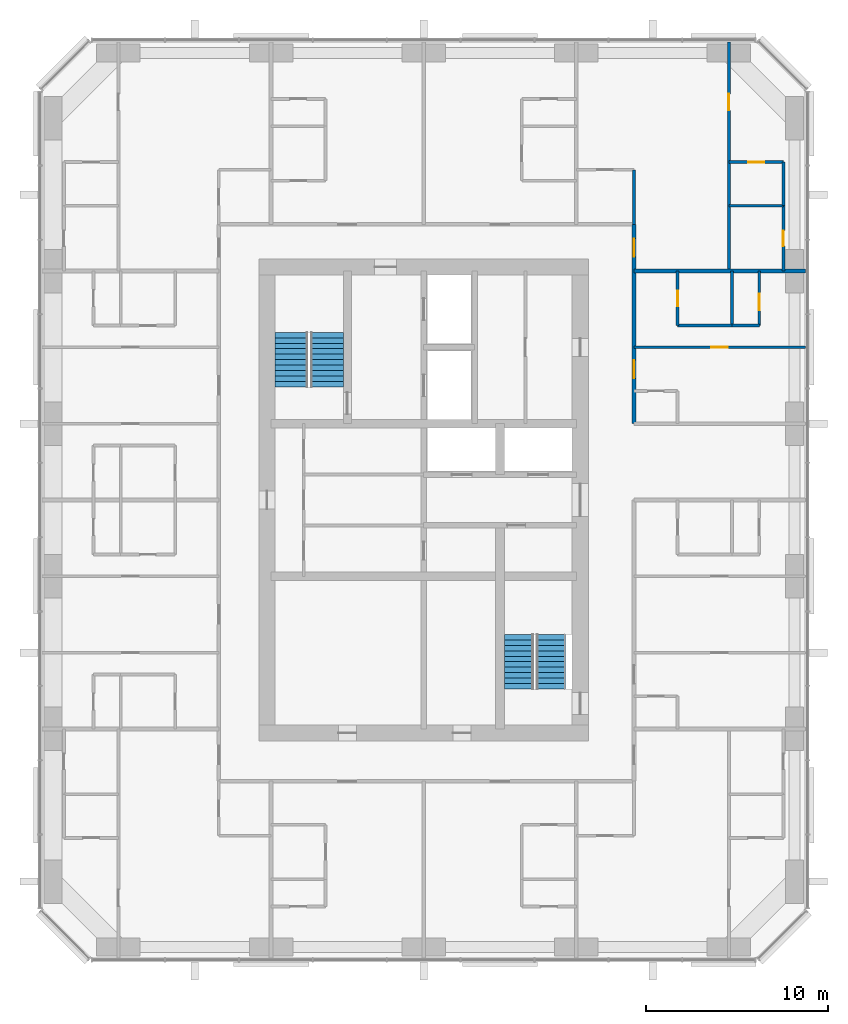
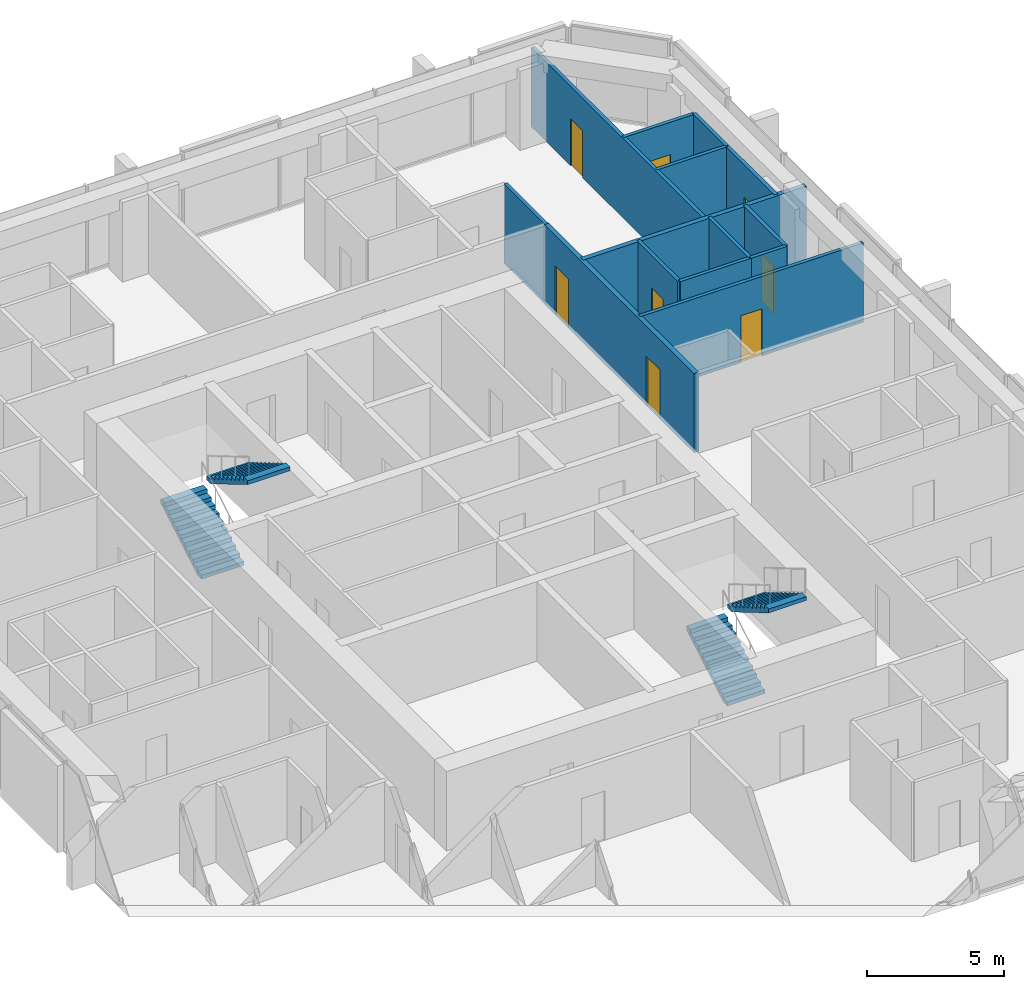
# One storey, part 11 of 12: 14 walls, 8 doors, 4 stair flights, 8 openings, 2 elements without a shape of their own.
"""IFC4 building model written with IfcOpenShell, lengths in metres."""

from ifc_helpers import new_model, si_unit, direction, frame, frame_2d, origin, place, context, subcontext, project, spatial, polyline, rectangle, outline, extrude, material, layer, layer_set, type_object, element, fill, aggregate, save


model = new_model("IFC4")

# Units and contexts
model_context = context("Model", 3, precision=1e-05, world=origin(), true_north=direction((0.0, 1.0)))
body_context = subcontext(model_context, "Body", "Model", "MODEL_VIEW")
ifc_project = project(units=[si_unit("LENGTHUNIT", "METRE"), si_unit("AREAUNIT", "SQUARE_METRE"), si_unit("VOLUMEUNIT", "CUBIC_METRE"), si_unit("PLANEANGLEUNIT", "RADIAN"), si_unit("MASSUNIT", "GRAM", prefix="KILO")], contexts=[model_context])

# Site, building, storey
site_placement = place(None, origin())
site = spatial("IfcSite", under=ifc_project, at=site_placement, CompositionType="ELEMENT")
building_placement = place(site_placement, origin())
building = spatial("IfcBuilding", under=site, at=building_placement, Name="Dunama Terrace Hotel", CompositionType="ELEMENT")
storey_placement = place(building_placement, frame((0.0, 0.0, 237.300048828125)))
storey = spatial("IfcBuildingStorey", under=building, at=storey_placement, Name="L61", CompositionType="ELEMENT", Elevation=237.300048828125)

# Wall
ifc_material_1 = material(Name="Gypsum board partition", Category="masonry")
ifc_layer_1 = layer(ifc_material_1, 0.14990234375)
ifc_layer_set_1 = layer_set([ifc_layer_1], Name="Bathroom partition 150")
wall_type_1 = type_object("IfcWallType", Name="Bathroom partition 150", PredefinedType="PARTITIONING", material=ifc_layer_set_1)
wall_1_placement = place(storey_placement, frame((45.175048828125, 44.574951171875, 0.0), z_axis=(0.0, 0.0, 1.0), x_axis=(0.0, 1.0, 0.0)))
element("IfcWall", 1, at=wall_1_placement, inside=storey, type_object=wall_type_1, Name="Bathroom partition 150 L61", PredefinedType="PARTITIONING", context=body_context, shape_type="SweptSolid", body=[
    extrude(rectangle(XDim=3.0, YDim=0.14990234375, at=frame_2d((1.5, 0.0))), origin(), (0.0, 0.0, 1.0), 3.550048828125),
])

# Wall, opening, door
wall_2_placement = place(storey_placement, frame((47.574951171875, 39.0, 0.0), z_axis=(0.0, 0.0, 1.0), x_axis=(0.0, 1.0, 0.0)))
wall_2 = element("IfcWall", 2, at=wall_2_placement, inside=storey, type_object=wall_type_1, Name="Bathroom partition 150 L61", PredefinedType="PARTITIONING", context=body_context, shape_type="SweptSolid", body=[
    extrude(rectangle(XDim=3.0, YDim=0.14990234375, at=frame_2d((1.5, 0.0))), origin(), (0.0, 0.0, 1.0), 3.550048828125),
])
opening_1_placement = place(wall_2_placement, frame((1.074951171875, 0.0, 0.0)))
opening_1 = element("IfcOpeningElement", 3, at=opening_1_placement, cuts=wall_2, Name="Opening L61-022", PredefinedType="OPENING", context=body_context, shape_type="SweptSolid", body=[
    extrude(rectangle(XDim=0.85009765625, YDim=2.10009765625, at=frame_2d((0.425048828125, 1.050048828125))), frame((0.0, 0.0849609375, 0.0), z_axis=(0.0, -1.0, 0.0), x_axis=(1.0, 0.0, 0.0)), (0.0, 0.0, 1.0), 0.169921875),
])
ifc_material_2 = material(Name="Timber door with steel frame", Category="steel")
door_type_1 = type_object("IfcDoorType", Name="Bathroom door 850", OperationType="SINGLE_SWING_LEFT", PredefinedType="DOOR", material=ifc_material_2)
door_1_placement = place(opening_1_placement, frame((0.85009765625, 0.0, 0.0), z_axis=(0.0, 0.0, 1.0), x_axis=(-1.0, 0.0, 0.0)))
door_1 = element("IfcDoor", 4, at=door_1_placement, inside=storey, type_object=door_type_1, Name="Door to en-suite bathroom L61-022, type D2", OperationType="SINGLE_SWING_LEFT", OverallHeight=2.10009765625, OverallWidth=0.85009765625, PredefinedType="DOOR", context=body_context, shape_type="SweptSolid", body=[
    extrude(rectangle(XDim=0.85009765625, YDim=2.10009765625, at=frame_2d((0.425048828125, 1.050048828125))), frame((0.0, 0.025146484375, 0.0), z_axis=(0.0, -1.0, 0.0), x_axis=(1.0, 0.0, 0.0)), (0.0, 0.0, 1.0), 0.050048828125),
])
fill(opening_1, door_1)

wall_3_placement = place(storey_placement, frame((53.39990234375, 42.0, 0.0), z_axis=(0.0, 0.0, 1.0), x_axis=(0.0, 1.0, 0.0)))
wall_3 = element("IfcWall", 5, at=wall_3_placement, inside=storey, type_object=wall_type_1, Name="Bathroom partition 150 L61", PredefinedType="PARTITIONING", context=body_context, shape_type="SweptSolid", body=[
    extrude(rectangle(XDim=3.60009765625, YDim=0.14990234375, at=frame_2d((1.800048828125, 0.0))), origin(), (0.0, 0.0, 1.0), 3.550048828125),
])
opening_2_placement = place(wall_3_placement, frame((1.375, 0.0, 0.0)))
opening_2 = element("IfcOpeningElement", 6, at=opening_2_placement, cuts=wall_3, Name="Opening L61-057", PredefinedType="OPENING", context=body_context, shape_type="SweptSolid", body=[
    extrude(rectangle(XDim=0.85009765625, YDim=2.10009765625, at=frame_2d((0.425048828125, 1.050048828125))), frame((0.0, 0.0849609375, 0.0), z_axis=(0.0, -1.0, 0.0), x_axis=(1.0, 0.0, 0.0)), (0.0, 0.0, 1.0), 0.169921875),
])
door_2_placement = place(opening_2_placement, origin())
door_2 = element("IfcDoor", 7, at=door_2_placement, inside=storey, type_object=door_type_1, Name="Door to en-suite bathroom L61-057, type D2", OperationType="SINGLE_SWING_LEFT", OverallHeight=2.10009765625, OverallWidth=0.85009765625, PredefinedType="DOOR", context=body_context, shape_type="SweptSolid", body=[
    extrude(rectangle(XDim=0.85009765625, YDim=2.10009765625, at=frame_2d((0.425048828125, 1.050048828125))), frame((0.0, 0.02490234375, 0.0), z_axis=(0.0, -1.0, 0.0), x_axis=(1.0, 0.0, 0.0)), (0.0, 0.0, 1.0), 0.050048828125),
])
fill(opening_2, door_2)

# Wall
wall_4_placement = place(storey_placement, frame((47.574951171875, 39.0, 0.0), z_axis=(0.0, 0.0, 1.0), x_axis=(1.0, 0.0, 0.0)))
element("IfcWall", 8, at=wall_4_placement, inside=storey, type_object=wall_type_1, Name="Bathroom partition 150 L61", PredefinedType="PARTITIONING", context=body_context, shape_type="SweptSolid", body=[
    extrude(rectangle(XDim=3.0, YDim=0.14990234375, at=frame_2d((1.5, 0.0))), origin(), (0.0, 0.0, 1.0), 3.550048828125),
])

# Wall, openings, doors
ifc_material_3 = material(Name="Concrete blockwork", Category="masonry")
ifc_layer_2 = layer(ifc_material_3, 0.199951171875)
ifc_layer_set_2 = layer_set([ifc_layer_2], Name="Corridor partition 200")
wall_type_2 = type_object("IfcWallType", Name="Corridor partition 200", PredefinedType="PARTITIONING", material=ifc_layer_set_2)
wall_5_placement = place(storey_placement, frame((45.175048828125, 44.574951171875, 0.0), z_axis=(0.0, 0.0, 1.0), x_axis=(0.0, -1.0, 0.0)))
wall_5 = element("IfcWall", 9, at=wall_5_placement, inside=storey, type_object=wall_type_2, Name="Corridor partition 200 L61", PredefinedType="PARTITIONING", context=body_context, shape_type="SweptSolid", body=[
    extrude(rectangle(XDim=10.974853515625, YDim=0.199951171875, at=frame_2d((5.4873046875, 0.0))), origin(), (0.0, 0.0, 1.0), 3.550048828125),
])
opening_3_placement = place(wall_5_placement, frame((7.47509765625, 0.0, 0.0)))
opening_3 = element("IfcOpeningElement", 10, at=opening_3_placement, cuts=wall_5, Name="Opening L61-019", PredefinedType="OPENING", context=body_context, shape_type="SweptSolid", body=[
    extrude(rectangle(XDim=1.0, YDim=2.199951171875, at=frame_2d((0.5, 1.10009765625))), frame((0.0, 0.10986328125, 0.0), z_axis=(0.0, -1.0, 0.0), x_axis=(1.0, 0.0, 0.0)), (0.0, 0.0, 1.0), 0.219970703125),
])
opening_4_placement = place(wall_5_placement, frame((0.787109375, 0.0, 0.0)))
opening_4 = element("IfcOpeningElement", 11, at=opening_4_placement, cuts=wall_5, Name="Opening L61-054", PredefinedType="OPENING", context=body_context, shape_type="SweptSolid", body=[
    extrude(rectangle(XDim=1.0, YDim=2.199951171875, at=frame_2d((0.5, 1.10009765625))), frame((0.0, 0.10986328125, 0.0), z_axis=(0.0, -1.0, 0.0), x_axis=(1.0, 0.0, 0.0)), (0.0, 0.0, 1.0), 0.219970703125),
])
ifc_material_4 = material(Name="Timber door with steel frame", Category="steel")
door_type_2 = type_object("IfcDoorType", Name="Guest room door 1000", OperationType="SINGLE_SWING_LEFT", PredefinedType="DOOR", material=ifc_material_4)
door_3_placement = place(opening_3_placement, origin())
door_3 = element("IfcDoor", 12, at=door_3_placement, inside=storey, type_object=door_type_2, Name="Door to one-bedroom suite living room L61-019, type D1", OperationType="SINGLE_SWING_LEFT", OverallHeight=2.199951171875, OverallWidth=1.0, PredefinedType="DOOR", context=body_context, shape_type="SweptSolid", body=[
    extrude(rectangle(XDim=1.0, YDim=2.199951171875, at=frame_2d((0.5, 1.10009765625))), frame((0.0, 0.02490234375, 0.0), z_axis=(0.0, -1.0, 0.0), x_axis=(1.0, 0.0, 0.0)), (0.0, 0.0, 1.0), 0.050048828125),
])
fill(opening_3, door_3)
door_4_placement = place(opening_4_placement, origin())
door_4 = element("IfcDoor", 13, at=door_4_placement, inside=storey, type_object=door_type_2, Name="Door to grand corner suite living room L61-054, type D1", OperationType="SINGLE_SWING_LEFT", OverallHeight=2.199951171875, OverallWidth=1.0, PredefinedType="DOOR", context=body_context, shape_type="SweptSolid", body=[
    extrude(rectangle(XDim=1.0, YDim=2.199951171875, at=frame_2d((0.5, 1.10009765625))), frame((0.0, 0.02490234375, 0.0), z_axis=(0.0, -1.0, 0.0), x_axis=(1.0, 0.0, 0.0)), (0.0, 0.0, 1.0), 0.050048828125),
])
fill(opening_4, door_4)

# Wall
ifc_material_5 = material(Name="Concrete blockwork", Category="masonry")
ifc_layer_3 = layer(ifc_material_5, 0.199951171875)
ifc_layer_set_3 = layer_set([ifc_layer_3], Name="Party wall 200")
wall_type_3 = type_object("IfcWallType", Name="Party wall 200", PredefinedType="PARTITIONING", material=ifc_layer_set_3)
wall_6_placement = place(storey_placement, frame((45.175048828125, 42.0, 0.0), z_axis=(0.0, 0.0, 1.0), x_axis=(1.0, 0.0, 0.0)))
element("IfcWall", 14, at=wall_6_placement, inside=storey, type_object=wall_type_3, Name="Party wall 200 L61", PredefinedType="PARTITIONING", context=body_context, shape_type="SweptSolid", body=[
    extrude(rectangle(XDim=9.44287109375, YDim=0.199951171875, at=frame_2d((4.721435546875, 0.0))), origin(), (0.0, 0.0, 1.0), 3.550048828125),
])

# Wall, opening, door
ifc_material_6 = material(Name="Gypsum board partition", Category="masonry")
ifc_layer_4 = layer(ifc_material_6, 0.14990234375)
ifc_layer_set_4 = layer_set([ifc_layer_4], Name="Room partition 150")
wall_type_4 = type_object("IfcWallType", Name="Room partition 150", PredefinedType="PARTITIONING", material=ifc_layer_set_4)
wall_7_placement = place(storey_placement, frame((50.39990234375, 42.0, 0.0), z_axis=(0.0, 0.0, 1.0), x_axis=(0.0, 1.0, 0.0)))
wall_7 = element("IfcWall", 15, at=wall_7_placement, inside=storey, type_object=wall_type_4, Name="Room partition 150 L61", PredefinedType="PARTITIONING", context=body_context, shape_type="SweptSolid", body=[
    extrude(rectangle(XDim=12.617919921875, YDim=0.14990234375, at=frame_2d((6.30908203125, 0.0))), origin(), (0.0, 0.0, 1.0), 3.550048828125),
])
opening_5_placement = place(wall_7_placement, frame((8.85009765625, 0.0, 0.0)))
opening_5 = element("IfcOpeningElement", 16, at=opening_5_placement, cuts=wall_7, Name="Opening L61-056", PredefinedType="OPENING", context=body_context, shape_type="SweptSolid", body=[
    extrude(rectangle(XDim=0.89990234375, YDim=2.10009765625, at=frame_2d((0.449951171875, 1.050048828125))), frame((0.0, 0.0849609375, 0.0), z_axis=(0.0, -1.0, 0.0), x_axis=(1.0, 0.0, 0.0)), (0.0, 0.0, 1.0), 0.169921875),
])
ifc_material_7 = material(Name="Timber door with steel frame", Category="steel")
door_type_3 = type_object("IfcDoorType", Name="Suite internal door 900", OperationType="SINGLE_SWING_LEFT", PredefinedType="DOOR", material=ifc_material_7)
door_5_placement = place(opening_5_placement, frame((0.89990234375, 0.0, 0.0), z_axis=(0.0, 0.0, 1.0), x_axis=(-1.0, 0.0, 0.0)))
door_5 = element("IfcDoor", 17, at=door_5_placement, inside=storey, type_object=door_type_3, Name="Door to grand corner suite bedroom L61-056, type D16", OperationType="SINGLE_SWING_LEFT", OverallHeight=2.10009765625, OverallWidth=0.89990234375, PredefinedType="DOOR", context=body_context, shape_type="SweptSolid", body=[
    extrude(rectangle(XDim=0.89990234375, YDim=2.10009765625, at=frame_2d((0.449951171875, 1.050048828125))), frame((0.0, 0.025146484375, 0.0), z_axis=(0.0, -1.0, 0.0), x_axis=(1.0, 0.0, 0.0)), (0.0, 0.0, 1.0), 0.050048828125),
])
fill(opening_5, door_5)

# Wall
wall_8_placement = place(storey_placement, frame((50.574951171875, 39.0, 0.0), z_axis=(0.0, 0.0, 1.0), x_axis=(0.0, 1.0, 0.0)))
element("IfcWall", 18, at=wall_8_placement, inside=storey, type_object=wall_type_4, Name="Room partition 150 L61", PredefinedType="PARTITIONING", context=body_context, shape_type="SweptSolid", body=[
    extrude(rectangle(XDim=3.0, YDim=0.14990234375, at=frame_2d((1.5, 0.0))), origin(), (0.0, 0.0, 1.0), 3.550048828125),
])

# Wall, opening, door
wall_9_placement = place(storey_placement, frame((52.074951171875, 39.0, 0.0), z_axis=(0.0, 0.0, 1.0), x_axis=(0.0, 1.0, 0.0)))
wall_9 = element("IfcWall", 19, at=wall_9_placement, inside=storey, type_object=wall_type_4, Name="Room partition 150 L61", PredefinedType="PARTITIONING", context=body_context, shape_type="SweptSolid", body=[
    extrude(rectangle(XDim=3.0, YDim=0.14990234375, at=frame_2d((1.5, 0.0))), origin(), (0.0, 0.0, 1.0), 3.550048828125),
])
opening_6_placement = place(wall_9_placement, frame((0.85009765625, 0.0, 0.0)))
opening_6 = element("IfcOpeningElement", 20, at=opening_6_placement, cuts=wall_9, Name="Opening L61-023", PredefinedType="OPENING", context=body_context, shape_type="SweptSolid", body=[
    extrude(rectangle(XDim=0.89990234375, YDim=2.10009765625, at=frame_2d((0.449951171875, 1.050048828125))), frame((0.0, 0.0849609375, 0.0), z_axis=(0.0, -1.0, 0.0), x_axis=(1.0, 0.0, 0.0)), (0.0, 0.0, 1.0), 0.169921875),
])
door_6_placement = place(opening_6_placement, origin())
door_6 = element("IfcDoor", 21, at=door_6_placement, inside=storey, type_object=door_type_3, Name="Door to walk-in wardrobe L61-023, type D16", OperationType="SINGLE_SWING_LEFT", OverallHeight=2.10009765625, OverallWidth=0.89990234375, PredefinedType="DOOR", context=body_context, shape_type="SweptSolid", body=[
    extrude(rectangle(XDim=0.89990234375, YDim=2.10009765625, at=frame_2d((0.449951171875, 1.050048828125))), frame((0.0, 0.02490234375, 0.0), z_axis=(0.0, -1.0, 0.0), x_axis=(1.0, 0.0, 0.0)), (0.0, 0.0, 1.0), 0.050048828125),
])
fill(opening_6, door_6)

# Wall
wall_10_placement = place(storey_placement, frame((53.39990234375, 45.60009765625, 0.0), z_axis=(0.0, 0.0, 1.0), x_axis=(0.0, 1.0, 0.0)))
element("IfcWall", 22, at=wall_10_placement, inside=storey, type_object=wall_type_4, Name="Room partition 150 L61", PredefinedType="PARTITIONING", context=body_context, shape_type="SweptSolid", body=[
    extrude(rectangle(XDim=2.39990234375, YDim=0.14990234375, at=frame_2d((1.199951171875, 0.0))), origin(), (0.0, 0.0, 1.0), 3.550048828125),
])

# Wall, opening, door
wall_11_placement = place(storey_placement, frame((45.175048828125, 37.800048828125, 0.0), z_axis=(0.0, 0.0, 1.0), x_axis=(1.0, 0.0, 0.0)))
wall_11 = element("IfcWall", 23, at=wall_11_placement, inside=storey, type_object=wall_type_4, Name="Room partition 150 L61", PredefinedType="PARTITIONING", context=body_context, shape_type="SweptSolid", body=[
    extrude(rectangle(XDim=9.44287109375, YDim=0.14990234375, at=frame_2d((4.721435546875, 0.0))), origin(), (0.0, 0.0, 1.0), 3.550048828125),
])
opening_7_placement = place(wall_11_placement, frame((4.262939453125, 0.0, 0.0)))
opening_7 = element("IfcOpeningElement", 24, at=opening_7_placement, cuts=wall_11, Name="Opening L61-021", PredefinedType="OPENING", context=body_context, shape_type="SweptSolid", body=[
    extrude(rectangle(XDim=0.89990234375, YDim=2.10009765625, at=frame_2d((0.449951171875, 1.050048828125))), frame((0.0, 0.0849609375, 0.0), z_axis=(0.0, -1.0, 0.0), x_axis=(1.0, 0.0, 0.0)), (0.0, 0.0, 1.0), 0.169921875),
])
door_7_placement = place(opening_7_placement, origin())
door_7 = element("IfcDoor", 25, at=door_7_placement, inside=storey, type_object=door_type_3, Name="Door to one-bedroom suite bedroom L61-021, type D16", OperationType="SINGLE_SWING_LEFT", OverallHeight=2.10009765625, OverallWidth=0.89990234375, PredefinedType="DOOR", context=body_context, shape_type="SweptSolid", body=[
    extrude(rectangle(XDim=0.89990234375, YDim=2.10009765625, at=frame_2d((0.449951171875, 1.050048828125))), frame((0.0, 0.02490234375, 0.0), z_axis=(0.0, -1.0, 0.0), x_axis=(1.0, 0.0, 0.0)), (0.0, 0.0, 1.0), 0.050048828125),
])
fill(opening_7, door_7)

# Walls
wall_12_placement = place(storey_placement, frame((50.574951171875, 39.0, 0.0), z_axis=(0.0, 0.0, 1.0), x_axis=(1.0, 0.0, 0.0)))
element("IfcWall", 26, at=wall_12_placement, inside=storey, type_object=wall_type_4, Name="Room partition 150 L61", PredefinedType="PARTITIONING", context=body_context, shape_type="SweptSolid", body=[
    extrude(rectangle(XDim=1.5, YDim=0.14990234375, at=frame_2d((0.75, 0.0))), origin(), (0.0, 0.0, 1.0), 3.550048828125),
])
wall_13_placement = place(storey_placement, frame((50.39990234375, 45.60009765625, 0.0), z_axis=(0.0, 0.0, 1.0), x_axis=(1.0, 0.0, 0.0)))
element("IfcWall", 27, at=wall_13_placement, inside=storey, type_object=wall_type_4, Name="Room partition 150 L61", PredefinedType="PARTITIONING", context=body_context, shape_type="SweptSolid", body=[
    extrude(rectangle(XDim=3.0, YDim=0.14990234375, at=frame_2d((1.5, 0.0))), origin(), (0.0, 0.0, 1.0), 3.550048828125),
])

# Wall, opening, door
wall_14_placement = place(storey_placement, frame((50.39990234375, 48.0, 0.0), z_axis=(0.0, 0.0, 1.0), x_axis=(1.0, 0.0, 0.0)))
wall_14 = element("IfcWall", 28, at=wall_14_placement, inside=storey, type_object=wall_type_4, Name="Room partition 150 L61", PredefinedType="PARTITIONING", context=body_context, shape_type="SweptSolid", body=[
    extrude(rectangle(XDim=3.0, YDim=0.14990234375, at=frame_2d((1.5, 0.0))), origin(), (0.0, 0.0, 1.0), 3.550048828125),
])
opening_8_placement = place(wall_14_placement, frame((1.050048828125, 0.0, 0.0)))
opening_8 = element("IfcOpeningElement", 29, at=opening_8_placement, cuts=wall_14, Name="Opening L61-058", PredefinedType="OPENING", context=body_context, shape_type="SweptSolid", body=[
    extrude(rectangle(XDim=0.89990234375, YDim=2.10009765625, at=frame_2d((0.449951171875, 1.050048828125))), frame((0.0, 0.0849609375, 0.0), z_axis=(0.0, -1.0, 0.0), x_axis=(1.0, 0.0, 0.0)), (0.0, 0.0, 1.0), 0.169921875),
])
door_8_placement = place(opening_8_placement, frame((0.89990234375, 0.0, 0.0), z_axis=(0.0, 0.0, 1.0), x_axis=(-1.0, 0.0, 0.0)))
door_8 = element("IfcDoor", 30, at=door_8_placement, inside=storey, type_object=door_type_3, Name="Door to dressing room L61-058, type D16", OperationType="SINGLE_SWING_RIGHT", OverallHeight=2.10009765625, OverallWidth=0.89990234375, PredefinedType="DOOR", context=body_context, shape_type="SweptSolid", body=[
    extrude(rectangle(XDim=0.89990234375, YDim=2.10009765625, at=frame_2d((0.449951171875, 1.050048828125))), frame((0.0, 0.025146484375, 0.0), z_axis=(0.0, -1.0, 0.0), x_axis=(1.0, 0.0, 0.0)), (0.0, 0.0, 1.0), 0.050048828125),
])
fill(opening_8, door_8)

# Stair, stair flights
ifc_material_8 = material(Name="Concrete C40/50", Category="concrete")
stair_type_1 = type_object("IfcStairType", Name="Stair ST1-3900-1800", PredefinedType="HALF_TURN_STAIR", material=ifc_material_8)
stair_1_placement = place(storey_placement, origin())
stair_1 = element("IfcStair", 31, at=stair_1_placement, inside=storey, type_object=stair_type_1, Name="Stair ST1 L61", PredefinedType="HALF_TURN_STAIR")
ifc_material_9 = material(Name="Concrete C40/50", Category="concrete")
stair_flight_type_1 = type_object("IfcStairFlightType", Name="Stair flight ST1-3900-1800", PredefinedType="STRAIGHT", material=ifc_material_9)
stair_flight_1_placement = place(storey_placement, frame((26.324951171875, 35.625, 0.0), z_axis=(0.0, 0.0, 1.0), x_axis=(0.0, 1.0, 0.0)))
stair_flight_1 = element("IfcStairFlight", 32, at=stair_flight_1_placement, type_object=stair_flight_type_1, Name="ST1 flight 1", NumberOfRisers=11, NumberOfTreads=10, PredefinedType="STRAIGHT", RiserHeight=0.177272727, TreadLength=0.3, context=body_context, shape_type="SweptSolid", body=[
    extrude(outline(polyline([(0.0, 0.0), (0.0, 0.17724609375), (0.300048828125, 0.17724609375), (0.300048828125, 0.3544921875), (0.60009765625, 0.3544921875), (0.60009765625, 0.53173828125), (0.89990234375, 0.53173828125), (0.89990234375, 0.708984375), (1.199951171875, 0.708984375), (1.199951171875, 0.886474609375), (1.5, 0.886474609375), (1.5, 1.063720703125), (1.800048828125, 1.063720703125), (1.800048828125, 1.240966796875), (2.10009765625, 1.240966796875), (2.10009765625, 1.418212890625), (2.39990234375, 1.418212890625), (2.39990234375, 1.595458984375), (2.699951171875, 1.595458984375), (2.699951171875, 1.772705078125), (3.0, 1.772705078125), (3.0, 1.949951171875), (3.0, 1.5986328125), (0.294677734375, 0.0), (0.0, 0.0)])), frame((0.0, 0.89990234375, 0.0), z_axis=(0.0, -1.0, 0.0), x_axis=(1.0, 0.0, 0.0)), (0.0, 0.0, 1.0), 1.800048828125),
])
stair_flight_2_placement = place(storey_placement, frame((28.27490234375, 38.625, 1.949951171875), z_axis=(0.0, 0.0, 1.0), x_axis=(0.0, -1.0, 0.0)))
stair_flight_2 = element("IfcStairFlight", 33, at=stair_flight_2_placement, type_object=stair_flight_type_1, Name="ST1 flight 2", NumberOfRisers=11, NumberOfTreads=10, PredefinedType="STRAIGHT", RiserHeight=0.177272727, TreadLength=0.3, context=body_context, shape_type="SweptSolid", body=[
    extrude(outline(polyline([(0.0, 0.0), (0.0, 0.17724609375), (0.300048828125, 0.17724609375), (0.300048828125, 0.3544921875), (0.60009765625, 0.3544921875), (0.60009765625, 0.53173828125), (0.89990234375, 0.53173828125), (0.89990234375, 0.708984375), (1.199951171875, 0.708984375), (1.199951171875, 0.886474609375), (1.5, 0.886474609375), (1.5, 1.063720703125), (1.800048828125, 1.063720703125), (1.800048828125, 1.240966796875), (2.10009765625, 1.240966796875), (2.10009765625, 1.418212890625), (2.39990234375, 1.418212890625), (2.39990234375, 1.595458984375), (2.699951171875, 1.595458984375), (2.699951171875, 1.772705078125), (3.0, 1.772705078125), (3.0, 1.949951171875), (3.0, 1.5986328125), (0.294677734375, 0.0), (0.0, 0.0)])), frame((0.0, 0.89990234375, 0.0), z_axis=(0.0, -1.0, 0.0), x_axis=(1.0, 0.0, 0.0)), (0.0, 0.0, 1.0), 1.800048828125),
])
aggregate(stair_1, [stair_flight_1, stair_flight_2])

ifc_material_10 = material(Name="Concrete C40/50", Category="concrete")
stair_type_2 = type_object("IfcStairType", Name="Stair ST2-3900-1600", PredefinedType="HALF_TURN_STAIR", material=ifc_material_10)
stair_2_placement = place(storey_placement, origin())
stair_2 = element("IfcStair", 34, at=stair_2_placement, inside=storey, type_object=stair_type_2, Name="Stair ST2 L61", PredefinedType="HALF_TURN_STAIR")
ifc_material_11 = material(Name="Concrete C40/50", Category="concrete")
stair_flight_type_2 = type_object("IfcStairFlightType", Name="Stair flight ST2-3900-1600", PredefinedType="STRAIGHT", material=ifc_material_11)
stair_flight_3_placement = place(storey_placement, frame((38.85009765625, 19.0, 0.0), z_axis=(0.0, 0.0, 1.0), x_axis=(0.0, 1.0, 0.0)))
stair_flight_3 = element("IfcStairFlight", 35, at=stair_flight_3_placement, type_object=stair_flight_type_2, Name="ST2 flight 1", NumberOfRisers=11, NumberOfTreads=10, PredefinedType="STRAIGHT", RiserHeight=0.177272727, TreadLength=0.3, context=body_context, shape_type="SweptSolid", body=[
    extrude(outline(polyline([(0.0, 0.0), (0.0, 0.17724609375), (0.300048828125, 0.17724609375), (0.300048828125, 0.3544921875), (0.60009765625, 0.3544921875), (0.60009765625, 0.53173828125), (0.89990234375, 0.53173828125), (0.89990234375, 0.708984375), (1.199951171875, 0.708984375), (1.199951171875, 0.886474609375), (1.5, 0.886474609375), (1.5, 1.063720703125), (1.800048828125, 1.063720703125), (1.800048828125, 1.240966796875), (2.10009765625, 1.240966796875), (2.10009765625, 1.418212890625), (2.39990234375, 1.418212890625), (2.39990234375, 1.595458984375), (2.699951171875, 1.595458984375), (2.699951171875, 1.772705078125), (3.0, 1.772705078125), (3.0, 1.949951171875), (3.0, 1.5986328125), (0.294677734375, 0.0), (0.0, 0.0)])), frame((0.0, 0.800048828125, 0.0), z_axis=(0.0, -1.0, 0.0), x_axis=(1.0, 0.0, 0.0)), (0.0, 0.0, 1.0), 1.60009765625),
])
stair_flight_4_placement = place(storey_placement, frame((40.60009765625, 22.0, 1.949951171875), z_axis=(0.0, 0.0, 1.0), x_axis=(0.0, -1.0, 0.0)))
stair_flight_4 = element("IfcStairFlight", 36, at=stair_flight_4_placement, type_object=stair_flight_type_2, Name="ST2 flight 2", NumberOfRisers=11, NumberOfTreads=10, PredefinedType="STRAIGHT", RiserHeight=0.177272727, TreadLength=0.3, context=body_context, shape_type="SweptSolid", body=[
    extrude(outline(polyline([(0.0, 0.0), (0.0, 0.17724609375), (0.300048828125, 0.17724609375), (0.300048828125, 0.3544921875), (0.60009765625, 0.3544921875), (0.60009765625, 0.53173828125), (0.89990234375, 0.53173828125), (0.89990234375, 0.708984375), (1.199951171875, 0.708984375), (1.199951171875, 0.886474609375), (1.5, 0.886474609375), (1.5, 1.063720703125), (1.800048828125, 1.063720703125), (1.800048828125, 1.240966796875), (2.10009765625, 1.240966796875), (2.10009765625, 1.418212890625), (2.39990234375, 1.418212890625), (2.39990234375, 1.595458984375), (2.699951171875, 1.595458984375), (2.699951171875, 1.772705078125), (3.0, 1.772705078125), (3.0, 1.949951171875), (3.0, 1.5986328125), (0.294677734375, 0.0), (0.0, 0.0)])), frame((0.0, 0.800048828125, 0.0), z_axis=(0.0, -1.0, 0.0), x_axis=(1.0, 0.0, 0.0)), (0.0, 0.0, 1.0), 1.60009765625),
])
aggregate(stair_2, [stair_flight_3, stair_flight_4])

save(model, "model.ifc")
